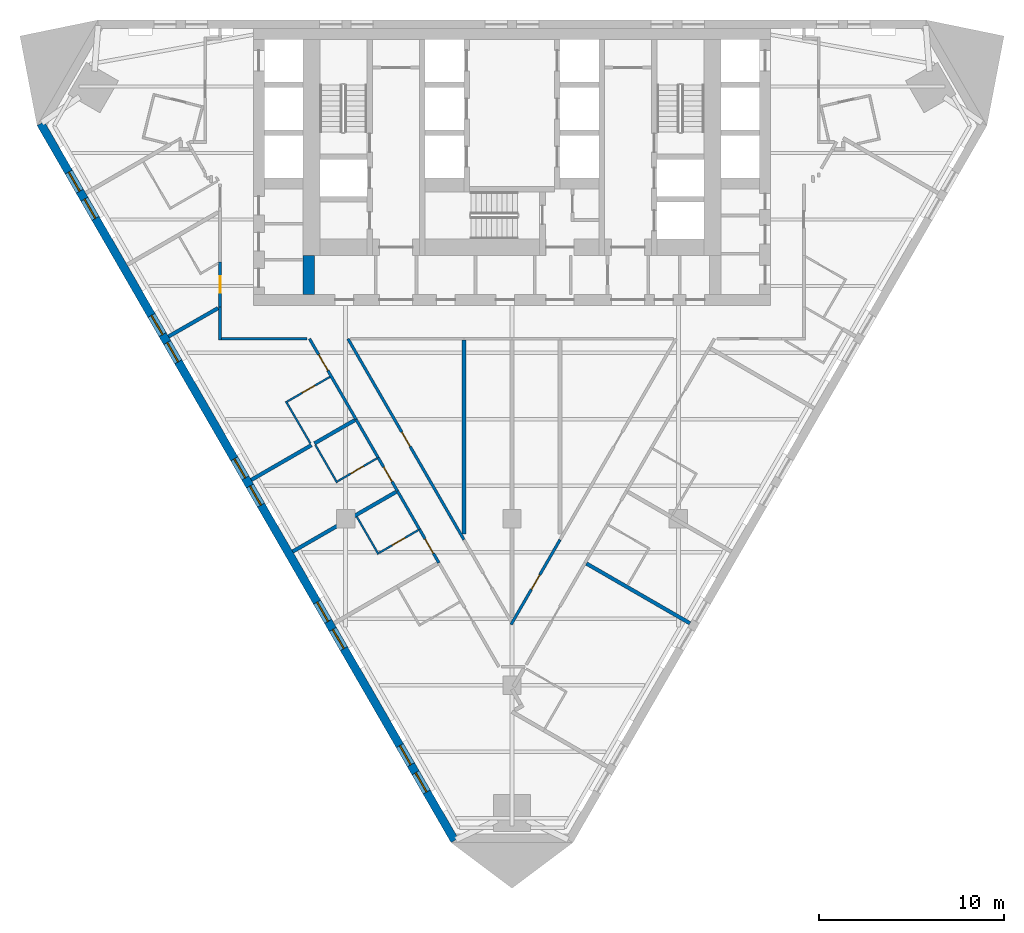
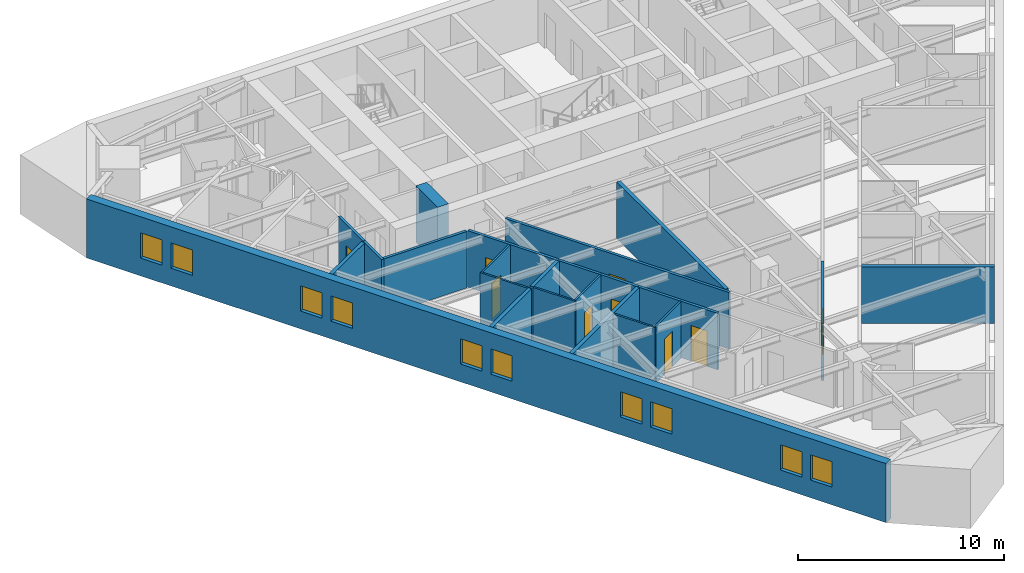
# One storey, part 3 of 10: 24 walls, 10 windows, 9 doors, 19 openings.
"""IFC4 building model written with IfcOpenShell, lengths in metres."""

from ifc_helpers import new_model, si_unit, direction, frame, frame_2d, origin, place, context, subcontext, project, spatial, polyline, rectangle, outline, extrude, material, layer, layer_set, type_object, element, fill, save


model = new_model("IFC4")

# Units and contexts
model_context = context("Model", 3, precision=1e-05, world=origin(), true_north=direction((0.0, 1.0)))
body_context = subcontext(model_context, "Body", "Model", "MODEL_VIEW")
ifc_project = project(units=[si_unit("LENGTHUNIT", "METRE"), si_unit("AREAUNIT", "SQUARE_METRE"), si_unit("VOLUMEUNIT", "CUBIC_METRE"), si_unit("PLANEANGLEUNIT", "RADIAN"), si_unit("MASSUNIT", "GRAM", prefix="KILO")], contexts=[model_context])

# Site, building, storey
site_placement = place(None, origin())
site = spatial("IfcSite", under=ifc_project, at=site_placement, CompositionType="ELEMENT")
building_placement = place(site_placement, origin())
building = spatial("IfcBuilding", under=site, at=building_placement, Name="Aloe Facet Convention Tower", CompositionType="ELEMENT")
storey_placement = place(building_placement, frame((0.0, 0.0, 59.5)))
storey = spatial("IfcBuildingStorey", under=building, at=storey_placement, Name="L13", CompositionType="ELEMENT", Elevation=59.5)

# Wall
ifc_material_1 = material(Name="Concrete C80/95", Category="concrete")
ifc_layer_1 = layer(ifc_material_1, 0.60009765625)
ifc_layer_set_1 = layer_set([ifc_layer_1], Name="CR-W-RC600-C8095")
wall_type_1 = type_object("IfcWallType", Name="CR-W-RC600-C8095", PredefinedType="SOLIDWALL", material=ifc_layer_set_1)
wall_1_placement = place(storey_placement, frame((69.0, 122.25, 0.0), z_axis=(0.0, 0.0, 1.0), x_axis=(0.0, -1.0, 0.0)))
element("IfcWall", 1, at=wall_1_placement, inside=storey, type_object=wall_type_1, Name="Core wall L13-010", PredefinedType="SOLIDWALL", context=body_context, shape_type="SweptSolid", body=[
    extrude(rectangle(XDim=2.10009765625, YDim=0.60009765625, at=frame_2d((1.050048828125, 0.0))), origin(), (0.0, 0.0, 1.0), 3.35009765625),
])

# Wall, openings, windows
ifc_material_2 = material(Name="Precast concrete C40/50", Category="concrete")
ifc_layer_2 = layer(ifc_material_2, 0.449951171875)
ifc_layer_set_2 = layer_set([ifc_layer_2], Name="EV-WALL-STONE")
wall_type_2 = type_object("IfcWallType", Name="EV-WALL-STONE", PredefinedType="SOLIDWALL", material=ifc_layer_set_2)
wall_2_placement = place(storey_placement, frame((54.494873046875, 129.396728515625, -0.14990234375), z_axis=(0.0, 0.0, 1.0), x_axis=(0.499999201451, -0.866025864826, 0.0)))
wall_2 = element("IfcWall", 2, at=wall_2_placement, inside=storey, type_object=wall_type_2, Name="EW-L13-W01", PredefinedType="SOLIDWALL", context=body_context, shape_type="SweptSolid", body=[
    extrude(outline(polyline([(44.800048828125, 0.0), (44.800048828125, 3.5), (0.0, 3.5), (0.0, 0.0), (44.800048828125, 0.0)])), frame((0.0, 0.22509765625, 0.0), z_axis=(0.0, -1.0, 0.0), x_axis=(1.0, 0.0, 0.0)), (0.0, 0.0, 1.0), 0.449951171875),
])
opening_1_placement = place(wall_2_placement, frame((3.030029296875, 0.0, 1.050048828125)))
opening_1 = element("IfcOpeningElement", 3, at=opening_1_placement, cuts=wall_2, Name="Opening W-L13-W01", PredefinedType="OPENING", context=body_context, shape_type="SweptSolid", body=[
    extrude(rectangle(XDim=1.199951171875, YDim=1.5, at=frame_2d((0.60009765625, 0.75))), frame((0.0, 0.23486328125, 0.0), z_axis=(0.0, -1.0, 0.0), x_axis=(1.0, 0.0, 0.0)), (0.0, 0.0, 1.0), 0.469970703125),
])
opening_2_placement = place(wall_2_placement, frame((4.72998046875, 0.0, 1.050048828125)))
opening_2 = element("IfcOpeningElement", 4, at=opening_2_placement, cuts=wall_2, Name="Opening W-L13-W02", PredefinedType="OPENING", context=body_context, shape_type="SweptSolid", body=[
    extrude(rectangle(XDim=1.199951171875, YDim=1.5, at=frame_2d((0.60009765625, 0.75))), frame((0.0, 0.23486328125, 0.0), z_axis=(0.0, -1.0, 0.0), x_axis=(1.0, 0.0, 0.0)), (0.0, 0.0, 1.0), 0.469970703125),
])
opening_3_placement = place(wall_2_placement, frame((11.989990234375, 0.0, 1.050048828125)))
opening_3 = element("IfcOpeningElement", 5, at=opening_3_placement, cuts=wall_2, Name="Opening W-L13-W03", PredefinedType="OPENING", context=body_context, shape_type="SweptSolid", body=[
    extrude(rectangle(XDim=1.199951171875, YDim=1.5, at=frame_2d((0.60009765625, 0.75))), frame((0.0, 0.23486328125, 0.0), z_axis=(0.0, -1.0, 0.0), x_axis=(1.0, 0.0, 0.0)), (0.0, 0.0, 1.0), 0.469970703125),
])
opening_4_placement = place(wall_2_placement, frame((13.68994140625, 0.0, 1.050048828125)))
opening_4 = element("IfcOpeningElement", 6, at=opening_4_placement, cuts=wall_2, Name="Opening W-L13-W04", PredefinedType="OPENING", context=body_context, shape_type="SweptSolid", body=[
    extrude(rectangle(XDim=1.199951171875, YDim=1.5, at=frame_2d((0.60009765625, 0.75))), frame((0.0, 0.23486328125, 0.0), z_axis=(0.0, -1.0, 0.0), x_axis=(1.0, 0.0, 0.0)), (0.0, 0.0, 1.0), 0.469970703125),
])
opening_5_placement = place(wall_2_placement, frame((20.949951171875, 0.0, 1.050048828125)))
opening_5 = element("IfcOpeningElement", 7, at=opening_5_placement, cuts=wall_2, Name="Opening W-L13-W05", PredefinedType="OPENING", context=body_context, shape_type="SweptSolid", body=[
    extrude(rectangle(XDim=1.199951171875, YDim=1.5, at=frame_2d((0.60009765625, 0.75))), frame((0.0, 0.23486328125, 0.0), z_axis=(0.0, -1.0, 0.0), x_axis=(1.0, 0.0, 0.0)), (0.0, 0.0, 1.0), 0.469970703125),
])
opening_6_placement = place(wall_2_placement, frame((22.64990234375, 0.0, 1.050048828125)))
opening_6 = element("IfcOpeningElement", 8, at=opening_6_placement, cuts=wall_2, Name="Opening W-L13-W06", PredefinedType="OPENING", context=body_context, shape_type="SweptSolid", body=[
    extrude(rectangle(XDim=1.199951171875, YDim=1.5, at=frame_2d((0.60009765625, 0.75))), frame((0.0, 0.23486328125, 0.0), z_axis=(0.0, -1.0, 0.0), x_axis=(1.0, 0.0, 0.0)), (0.0, 0.0, 1.0), 0.469970703125),
])
opening_7_placement = place(wall_2_placement, frame((29.909912109375, 0.0, 1.050048828125)))
opening_7 = element("IfcOpeningElement", 9, at=opening_7_placement, cuts=wall_2, Name="Opening W-L13-W07", PredefinedType="OPENING", context=body_context, shape_type="SweptSolid", body=[
    extrude(rectangle(XDim=1.199951171875, YDim=1.5, at=frame_2d((0.60009765625, 0.75))), frame((0.0, 0.23486328125, 0.0), z_axis=(0.0, -1.0, 0.0), x_axis=(1.0, 0.0, 0.0)), (0.0, 0.0, 1.0), 0.469970703125),
])
opening_8_placement = place(wall_2_placement, frame((31.610107421875, 0.0, 1.050048828125)))
opening_8 = element("IfcOpeningElement", 10, at=opening_8_placement, cuts=wall_2, Name="Opening W-L13-W08", PredefinedType="OPENING", context=body_context, shape_type="SweptSolid", body=[
    extrude(rectangle(XDim=1.199951171875, YDim=1.5, at=frame_2d((0.60009765625, 0.75))), frame((0.0, 0.23486328125, 0.0), z_axis=(0.0, -1.0, 0.0), x_axis=(1.0, 0.0, 0.0)), (0.0, 0.0, 1.0), 0.469970703125),
])
opening_9_placement = place(wall_2_placement, frame((38.8701171875, 0.0, 1.050048828125)))
opening_9 = element("IfcOpeningElement", 11, at=opening_9_placement, cuts=wall_2, Name="Opening W-L13-W09", PredefinedType="OPENING", context=body_context, shape_type="SweptSolid", body=[
    extrude(rectangle(XDim=1.199951171875, YDim=1.5, at=frame_2d((0.60009765625, 0.75))), frame((0.0, 0.23486328125, 0.0), z_axis=(0.0, -1.0, 0.0), x_axis=(1.0, 0.0, 0.0)), (0.0, 0.0, 1.0), 0.469970703125),
])
opening_10_placement = place(wall_2_placement, frame((40.570068359375, 0.0, 1.050048828125)))
opening_10 = element("IfcOpeningElement", 12, at=opening_10_placement, cuts=wall_2, Name="Opening W-L13-W10", PredefinedType="OPENING", context=body_context, shape_type="SweptSolid", body=[
    extrude(rectangle(XDim=1.199951171875, YDim=1.5, at=frame_2d((0.60009765625, 0.75))), frame((0.0, 0.23486328125, 0.0), z_axis=(0.0, -1.0, 0.0), x_axis=(1.0, 0.0, 0.0)), (0.0, 0.0, 1.0), 0.469970703125),
])
ifc_material_3 = material(Name="Aluminium frame, clear double glazing", Category="aluminium")
window_type = type_object("IfcWindowType", Name="EV-WIN-H12", PartitioningType="SINGLE_PANEL", PredefinedType="WINDOW", material=ifc_material_3)
window_1_placement = place(opening_1_placement, origin())
window_1 = element("IfcWindow", 13, at=window_1_placement, inside=storey, type_object=window_type, Name="W-L13-W01", OverallHeight=1.5, OverallWidth=1.199951171875, PartitioningType="SINGLE_PANEL", PredefinedType="WINDOW", context=body_context, shape_type="SweptSolid", body=[
    extrude(rectangle(XDim=1.199951171875, YDim=1.5, at=frame_2d((0.60009765625, 0.75))), frame((0.0, 0.030029296875, 0.0), z_axis=(0.0, -1.0, 0.0), x_axis=(1.0, 0.0, 0.0)), (0.0, 0.0, 1.0), 0.06005859375),
])
fill(opening_1, window_1)
window_2_placement = place(opening_2_placement, origin())
window_2 = element("IfcWindow", 14, at=window_2_placement, inside=storey, type_object=window_type, Name="W-L13-W02", OverallHeight=1.5, OverallWidth=1.199951171875, PartitioningType="SINGLE_PANEL", PredefinedType="WINDOW", context=body_context, shape_type="SweptSolid", body=[
    extrude(rectangle(XDim=1.199951171875, YDim=1.5, at=frame_2d((0.60009765625, 0.75))), frame((0.0, 0.030029296875, 0.0), z_axis=(0.0, -1.0, 0.0), x_axis=(1.0, 0.0, 0.0)), (0.0, 0.0, 1.0), 0.06005859375),
])
fill(opening_2, window_2)
window_3_placement = place(opening_3_placement, origin())
window_3 = element("IfcWindow", 15, at=window_3_placement, inside=storey, type_object=window_type, Name="W-L13-W03", OverallHeight=1.5, OverallWidth=1.199951171875, PartitioningType="SINGLE_PANEL", PredefinedType="WINDOW", context=body_context, shape_type="SweptSolid", body=[
    extrude(rectangle(XDim=1.199951171875, YDim=1.5, at=frame_2d((0.60009765625, 0.75))), frame((0.0, 0.030029296875, 0.0), z_axis=(0.0, -1.0, 0.0), x_axis=(1.0, 0.0, 0.0)), (0.0, 0.0, 1.0), 0.06005859375),
])
fill(opening_3, window_3)
window_4_placement = place(opening_4_placement, origin())
window_4 = element("IfcWindow", 16, at=window_4_placement, inside=storey, type_object=window_type, Name="W-L13-W04", OverallHeight=1.5, OverallWidth=1.199951171875, PartitioningType="SINGLE_PANEL", PredefinedType="WINDOW", context=body_context, shape_type="SweptSolid", body=[
    extrude(rectangle(XDim=1.199951171875, YDim=1.5, at=frame_2d((0.60009765625, 0.75))), frame((0.0, 0.030029296875, 0.0), z_axis=(0.0, -1.0, 0.0), x_axis=(1.0, 0.0, 0.0)), (0.0, 0.0, 1.0), 0.06005859375),
])
fill(opening_4, window_4)
window_5_placement = place(opening_5_placement, origin())
window_5 = element("IfcWindow", 17, at=window_5_placement, inside=storey, type_object=window_type, Name="W-L13-W05", OverallHeight=1.5, OverallWidth=1.199951171875, PartitioningType="SINGLE_PANEL", PredefinedType="WINDOW", context=body_context, shape_type="SweptSolid", body=[
    extrude(rectangle(XDim=1.199951171875, YDim=1.5, at=frame_2d((0.60009765625, 0.75))), frame((0.0, 0.030029296875, 0.0), z_axis=(0.0, -1.0, 0.0), x_axis=(1.0, 0.0, 0.0)), (0.0, 0.0, 1.0), 0.06005859375),
])
fill(opening_5, window_5)
window_6_placement = place(opening_6_placement, origin())
window_6 = element("IfcWindow", 18, at=window_6_placement, inside=storey, type_object=window_type, Name="W-L13-W06", OverallHeight=1.5, OverallWidth=1.199951171875, PartitioningType="SINGLE_PANEL", PredefinedType="WINDOW", context=body_context, shape_type="SweptSolid", body=[
    extrude(rectangle(XDim=1.199951171875, YDim=1.5, at=frame_2d((0.60009765625, 0.75))), frame((0.0, 0.030029296875, 0.0), z_axis=(0.0, -1.0, 0.0), x_axis=(1.0, 0.0, 0.0)), (0.0, 0.0, 1.0), 0.06005859375),
])
fill(opening_6, window_6)
window_7_placement = place(opening_7_placement, origin())
window_7 = element("IfcWindow", 19, at=window_7_placement, inside=storey, type_object=window_type, Name="W-L13-W07", OverallHeight=1.5, OverallWidth=1.199951171875, PartitioningType="SINGLE_PANEL", PredefinedType="WINDOW", context=body_context, shape_type="SweptSolid", body=[
    extrude(rectangle(XDim=1.199951171875, YDim=1.5, at=frame_2d((0.60009765625, 0.75))), frame((0.0, 0.030029296875, 0.0), z_axis=(0.0, -1.0, 0.0), x_axis=(1.0, 0.0, 0.0)), (0.0, 0.0, 1.0), 0.06005859375),
])
fill(opening_7, window_7)
window_8_placement = place(opening_8_placement, origin())
window_8 = element("IfcWindow", 20, at=window_8_placement, inside=storey, type_object=window_type, Name="W-L13-W08", OverallHeight=1.5, OverallWidth=1.199951171875, PartitioningType="SINGLE_PANEL", PredefinedType="WINDOW", context=body_context, shape_type="SweptSolid", body=[
    extrude(rectangle(XDim=1.199951171875, YDim=1.5, at=frame_2d((0.60009765625, 0.75))), frame((0.0, 0.030029296875, 0.0), z_axis=(0.0, -1.0, 0.0), x_axis=(1.0, 0.0, 0.0)), (0.0, 0.0, 1.0), 0.06005859375),
])
fill(opening_8, window_8)
window_9_placement = place(opening_9_placement, origin())
window_9 = element("IfcWindow", 21, at=window_9_placement, inside=storey, type_object=window_type, Name="W-L13-W09", OverallHeight=1.5, OverallWidth=1.199951171875, PartitioningType="SINGLE_PANEL", PredefinedType="WINDOW", context=body_context, shape_type="SweptSolid", body=[
    extrude(rectangle(XDim=1.199951171875, YDim=1.5, at=frame_2d((0.60009765625, 0.75))), frame((0.0, 0.030029296875, 0.0), z_axis=(0.0, -1.0, 0.0), x_axis=(1.0, 0.0, 0.0)), (0.0, 0.0, 1.0), 0.06005859375),
])
fill(opening_9, window_9)
window_10_placement = place(opening_10_placement, origin())
window_10 = element("IfcWindow", 22, at=window_10_placement, inside=storey, type_object=window_type, Name="W-L13-W10", OverallHeight=1.5, OverallWidth=1.199951171875, PartitioningType="SINGLE_PANEL", PredefinedType="WINDOW", context=body_context, shape_type="SweptSolid", body=[
    extrude(rectangle(XDim=1.199951171875, YDim=1.5, at=frame_2d((0.60009765625, 0.75))), frame((0.0, 0.030029296875, 0.0), z_axis=(0.0, -1.0, 0.0), x_axis=(1.0, 0.0, 0.0)), (0.0, 0.0, 1.0), 0.06005859375),
])
fill(opening_10, window_10)

# Wall, opening, door
ifc_material_4 = material(Name="Gypsum board partition on steel studs", Category="steel")
ifc_layer_3 = layer(ifc_material_4, 0.14990234375)
ifc_layer_set_3 = layer_set([ifc_layer_3], Name="IN-W-CORR")
wall_type_3 = type_object("IfcWallType", Name="IN-W-CORR", PredefinedType="PARTITIONING", material=ifc_layer_set_3)
wall_3_placement = place(storey_placement, frame((79.949951171875, 102.283935546875, 0.0), z_axis=(0.0, 0.0, 1.0), x_axis=(0.500026712466, 0.866009980786, 0.0)))
wall_3 = element("IfcWall", 23, at=wall_3_placement, inside=storey, type_object=wall_type_3, Name="Partition L13-W014", PredefinedType="PARTITIONING", context=body_context, shape_type="SweptSolid", body=[
    extrude(rectangle(XDim=5.302001953125, YDim=0.14990234375, at=frame_2d((2.65087890625, 0.0))), origin(), (0.0, 0.0, 1.0), 3.35009765625),
])
opening_11_placement = place(wall_3_placement, frame((2.200927734375, 0.0, 0.0)))
opening_11 = element("IfcOpeningElement", 24, at=opening_11_placement, cuts=wall_3, Name="Opening L13-016", PredefinedType="OPENING", context=body_context, shape_type="SweptSolid", body=[
    extrude(rectangle(XDim=0.89990234375, YDim=2.10009765625, at=frame_2d((0.449951171875, 1.050048828125))), frame((0.0, 0.0849609375, 0.0), z_axis=(0.0, -1.0, 0.0), x_axis=(1.0, 0.0, 0.0)), (0.0, 0.0, 1.0), 0.169921875),
])
ifc_material_5 = material(Name="Hardwood flush door FD30S", Category="wood")
door_type_1 = type_object("IfcDoorType", Name="IN-D-GUEST", OperationType="SINGLE_SWING_LEFT", PredefinedType="DOOR", material=ifc_material_5)
door_1_placement = place(opening_11_placement, origin())
door_1 = element("IfcDoor", 25, at=door_1_placement, inside=storey, type_object=door_type_1, Name="Door L13-016", OperationType="SINGLE_SWING_LEFT", OverallHeight=2.10009765625, OverallWidth=0.89990234375, PredefinedType="DOOR", context=body_context, shape_type="SweptSolid", body=[
    extrude(rectangle(XDim=0.89990234375, YDim=2.10009765625, at=frame_2d((0.449951171875, 1.050048828125))), frame((0.0, 0.02490234375, 0.0), z_axis=(0.0, -1.0, 0.0), x_axis=(1.0, 0.0, 0.0)), (0.0, 0.0, 1.0), 0.050048828125),
])
fill(opening_11, door_1)

wall_4_placement = place(storey_placement, frame((74.9970703125, 107.435546875, 0.0), z_axis=(0.0, 0.0, 1.0), x_axis=(0.500096586542, -0.865969632337, 0.0)))
wall_4 = element("IfcWall", 26, at=wall_4_placement, inside=storey, type_object=wall_type_3, Name="Partition L13-W022", PredefinedType="PARTITIONING", context=body_context, shape_type="SweptSolid", body=[
    extrude(rectangle(XDim=2.08984375, YDim=0.14990234375, at=frame_2d((1.044921875, 0.0))), origin(), (0.0, 0.0, 1.0), 3.35009765625),
])
opening_12_placement = place(wall_4_placement, frame((0.594970703125, 0.0, 0.0)))
opening_12 = element("IfcOpeningElement", 27, at=opening_12_placement, cuts=wall_4, Name="Opening L13-007", PredefinedType="OPENING", context=body_context, shape_type="SweptSolid", body=[
    extrude(rectangle(XDim=0.89990234375, YDim=2.10009765625, at=frame_2d((0.449951171875, 1.050048828125))), frame((0.0, 0.0849609375, 0.0), z_axis=(0.0, -1.0, 0.0), x_axis=(1.0, 0.0, 0.0)), (0.0, 0.0, 1.0), 0.169921875),
])
door_2_placement = place(opening_12_placement, origin())
door_2 = element("IfcDoor", 28, at=door_2_placement, inside=storey, type_object=door_type_1, Name="Door L13-007", OperationType="SINGLE_SWING_LEFT", OverallHeight=2.10009765625, OverallWidth=0.89990234375, PredefinedType="DOOR", context=body_context, shape_type="SweptSolid", body=[
    extrude(rectangle(XDim=0.89990234375, YDim=2.10009765625, at=frame_2d((0.449951171875, 1.050048828125))), frame((0.0, 0.02490234375, 0.0), z_axis=(0.0, -1.0, 0.0), x_axis=(1.0, 0.0, 0.0)), (0.0, 0.0, 1.0), 0.050048828125),
])
fill(opening_12, door_2)

# Wall
wall_5_placement = place(storey_placement, frame((73.80224609375, 109.50537109375, 0.0), z_axis=(0.0, 0.0, 1.0), x_axis=(0.499940577336, -0.866059708757, 0.0)))
element("IfcWall", 29, at=wall_5_placement, inside=storey, type_object=wall_type_3, Name="Partition L13-W039", PredefinedType="PARTITIONING", context=body_context, shape_type="SweptSolid", body=[
    extrude(rectangle(XDim=2.389892578125, YDim=0.14990234375, at=frame_2d((1.19482421875, 0.0))), origin(), (0.0, 0.0, 1.0), 3.35009765625),
])

# Wall, opening, door
wall_6_placement = place(storey_placement, frame((72.757080078125, 111.3154296875, 0.0), z_axis=(0.0, 0.0, 1.0), x_axis=(0.500046000743, -0.865998843614, 0.0)))
wall_6 = element("IfcWall", 30, at=wall_6_placement, inside=storey, type_object=wall_type_3, Name="Partition L13-W041", PredefinedType="PARTITIONING", context=body_context, shape_type="SweptSolid", body=[
    extrude(rectangle(XDim=2.090087890625, YDim=0.14990234375, at=frame_2d((1.044921875, 0.0))), origin(), (0.0, 0.0, 1.0), 3.35009765625),
])
opening_13_placement = place(wall_6_placement, frame((0.594970703125, 0.0, 0.0)))
opening_13 = element("IfcOpeningElement", 31, at=opening_13_placement, cuts=wall_6, Name="Opening L13-006", PredefinedType="OPENING", context=body_context, shape_type="SweptSolid", body=[
    extrude(rectangle(XDim=0.89990234375, YDim=2.10009765625, at=frame_2d((0.449951171875, 1.050048828125))), frame((0.0, 0.0849609375, 0.0), z_axis=(0.0, -1.0, 0.0), x_axis=(1.0, 0.0, 0.0)), (0.0, 0.0, 1.0), 0.169921875),
])
door_3_placement = place(opening_13_placement, origin())
door_3 = element("IfcDoor", 32, at=door_3_placement, inside=storey, type_object=door_type_1, Name="Door L13-006", OperationType="SINGLE_SWING_LEFT", OverallHeight=2.10009765625, OverallWidth=0.89990234375, PredefinedType="DOOR", context=body_context, shape_type="SweptSolid", body=[
    extrude(rectangle(XDim=0.89990234375, YDim=2.10009765625, at=frame_2d((0.449951171875, 1.050048828125))), frame((0.0, 0.02490234375, 0.0), z_axis=(0.0, -1.0, 0.0), x_axis=(1.0, 0.0, 0.0)), (0.0, 0.0, 1.0), 0.050048828125),
])
fill(opening_13, door_3)

# Wall
wall_7_placement = place(storey_placement, frame((71.562255859375, 113.38525390625, 0.0), z_axis=(0.0, 0.0, 1.0), x_axis=(0.499940577336, -0.866059708757, 0.0)))
element("IfcWall", 33, at=wall_7_placement, inside=storey, type_object=wall_type_3, Name="Partition L13-W052", PredefinedType="PARTITIONING", context=body_context, shape_type="SweptSolid", body=[
    extrude(rectangle(XDim=2.389892578125, YDim=0.14990234375, at=frame_2d((1.19482421875, 0.0))), origin(), (0.0, 0.0, 1.0), 3.35009765625),
])

# Wall, opening, door
wall_8_placement = place(storey_placement, frame((69.042236328125, 117.75, 0.0), z_axis=(0.0, 0.0, 1.0), x_axis=(0.500004791531, -0.866022637375, 0.0)))
wall_8 = element("IfcWall", 34, at=wall_8_placement, inside=storey, type_object=wall_type_3, Name="Partition L13-W053", PredefinedType="PARTITIONING", context=body_context, shape_type="SweptSolid", body=[
    extrude(rectangle(XDim=5.0400390625, YDim=0.14990234375, at=frame_2d((2.52001953125, 0.0))), origin(), (0.0, 0.0, 1.0), 3.35009765625),
])
opening_14_placement = place(wall_8_placement, frame((0.988037109375, 0.0, 0.0)))
opening_14 = element("IfcOpeningElement", 35, at=opening_14_placement, cuts=wall_8, Name="Opening L13-005", PredefinedType="OPENING", context=body_context, shape_type="SweptSolid", body=[
    extrude(rectangle(XDim=1.0, YDim=2.10009765625, at=frame_2d((0.5, 1.050048828125))), frame((0.0, 0.0849609375, 0.0), z_axis=(0.0, -1.0, 0.0), x_axis=(1.0, 0.0, 0.0)), (0.0, 0.0, 1.0), 0.169921875),
])
ifc_material_6 = material(Name="Hardwood flush door FD30S", Category="wood")
door_type_2 = type_object("IfcDoorType", Name="IN-D-WIDE", OperationType="SINGLE_SWING_LEFT", PredefinedType="DOOR", material=ifc_material_6)
door_4_placement = place(opening_14_placement, origin())
door_4 = element("IfcDoor", 36, at=door_4_placement, inside=storey, type_object=door_type_2, Name="Door L13-005", OperationType="SINGLE_SWING_LEFT", OverallHeight=2.10009765625, OverallWidth=1.0, PredefinedType="DOOR", context=body_context, shape_type="SweptSolid", body=[
    extrude(rectangle(XDim=1.0, YDim=2.10009765625, at=frame_2d((0.5, 1.050048828125))), frame((0.0, 0.02490234375, 0.0), z_axis=(0.0, -1.0, 0.0), x_axis=(1.0, 0.0, 0.0)), (0.0, 0.0, 1.0), 0.050048828125),
])
fill(opening_14, door_4)

# Walls
wall_9_placement = place(storey_placement, frame((64.199951171875, 117.675048828125, 0.0), z_axis=(0.0, 0.0, 1.0), x_axis=(0.0, 1.0, 0.0)))
element("IfcWall", 37, at=wall_9_placement, inside=storey, type_object=wall_type_3, Name="Partition L13-W060", PredefinedType="PARTITIONING", context=body_context, shape_type="SweptSolid", body=[
    extrude(rectangle(XDim=1.794189453125, YDim=0.14990234375, at=frame_2d((0.89697265625, 0.0))), origin(), (0.0, 0.0, 1.0), 3.35009765625),
])
wall_10_placement = place(storey_placement, frame((64.27490234375, 117.75, 0.0), z_axis=(0.0, 0.0, 1.0), x_axis=(1.0, 0.0, 0.0)))
element("IfcWall", 38, at=wall_10_placement, inside=storey, type_object=wall_type_3, Name="Partition L13-W061", PredefinedType="PARTITIONING", context=body_context, shape_type="SweptSolid", body=[
    extrude(rectangle(XDim=4.637451171875, YDim=0.14990234375, at=frame_2d((2.31884765625, 0.0))), origin(), (0.0, 0.0, 1.0), 3.35009765625),
])

# Wall, opening, door
wall_11_placement = place(storey_placement, frame((71.12060546875, 117.75, 0.0), z_axis=(0.0, 0.0, 1.0), x_axis=(0.499995104884, -0.866028229963, 0.0)))
wall_11 = element("IfcWall", 39, at=wall_11_placement, inside=storey, type_object=wall_type_3, Name="Partition L13-W062", PredefinedType="PARTITIONING", context=body_context, shape_type="SweptSolid", body=[
    extrude(rectangle(XDim=12.556884765625, YDim=0.14990234375, at=frame_2d((6.2783203125, 0.0))), origin(), (0.0, 0.0, 1.0), 3.35009765625),
])
opening_15_placement = place(wall_11_placement, frame((5.828369140625, 0.0, 0.0)))
opening_15 = element("IfcOpeningElement", 40, at=opening_15_placement, cuts=wall_11, Name="Opening L13-014", PredefinedType="OPENING", context=body_context, shape_type="SweptSolid", body=[
    extrude(rectangle(XDim=0.89990234375, YDim=2.10009765625, at=frame_2d((0.449951171875, 1.050048828125))), frame((0.0, 0.0849609375, 0.0), z_axis=(0.0, -1.0, 0.0), x_axis=(1.0, 0.0, 0.0)), (0.0, 0.0, 1.0), 0.169921875),
])
door_5_placement = place(opening_15_placement, origin())
door_5 = element("IfcDoor", 41, at=door_5_placement, inside=storey, type_object=door_type_1, Name="Door L13-014", OperationType="SINGLE_SWING_LEFT", OverallHeight=2.10009765625, OverallWidth=0.89990234375, PredefinedType="DOOR", context=body_context, shape_type="SweptSolid", body=[
    extrude(rectangle(XDim=0.89990234375, YDim=2.10009765625, at=frame_2d((0.449951171875, 1.050048828125))), frame((0.0, 0.02490234375, 0.0), z_axis=(0.0, -1.0, 0.0), x_axis=(1.0, 0.0, 0.0)), (0.0, 0.0, 1.0), 0.050048828125),
])
fill(opening_15, door_5)

wall_12_placement = place(storey_placement, frame((64.199951171875, 119.46923828125, 0.0), z_axis=(0.0, 0.0, 1.0), x_axis=(0.0, 1.0, 0.0)))
wall_12 = element("IfcWall", 42, at=wall_12_placement, inside=storey, type_object=wall_type_3, Name="Partition L13-W076", PredefinedType="PARTITIONING", context=body_context, shape_type="SweptSolid", body=[
    extrude(rectangle(XDim=2.4248046875, YDim=0.14990234375, at=frame_2d((1.21240234375, 0.0))), origin(), (0.0, 0.0, 1.0), 3.35009765625),
])
opening_16_placement = place(wall_12_placement, frame((0.762451171875, 0.0, 0.0)))
opening_16 = element("IfcOpeningElement", 43, at=opening_16_placement, cuts=wall_12, Name="Opening L13-004", PredefinedType="OPENING", context=body_context, shape_type="SweptSolid", body=[
    extrude(rectangle(XDim=0.89990234375, YDim=2.10009765625, at=frame_2d((0.449951171875, 1.050048828125))), frame((0.0, 0.0849609375, 0.0), z_axis=(0.0, -1.0, 0.0), x_axis=(1.0, 0.0, 0.0)), (0.0, 0.0, 1.0), 0.169921875),
])
door_6_placement = place(opening_16_placement, origin())
door_6 = element("IfcDoor", 44, at=door_6_placement, inside=storey, type_object=door_type_1, Name="Door L13-004", OperationType="SINGLE_SWING_LEFT", OverallHeight=2.10009765625, OverallWidth=0.89990234375, PredefinedType="DOOR", context=body_context, shape_type="SweptSolid", body=[
    extrude(rectangle(XDim=0.89990234375, YDim=2.10009765625, at=frame_2d((0.449951171875, 1.050048828125))), frame((0.0, 0.02490234375, 0.0), z_axis=(0.0, -1.0, 0.0), x_axis=(1.0, 0.0, 0.0)), (0.0, 0.0, 1.0), 0.050048828125),
])
fill(opening_16, door_6)

# Wall
ifc_material_7 = material(Name="Gypsum board partition on steel studs", Category="steel")
ifc_layer_4 = layer(ifc_material_7, 0.10009765625)
ifc_layer_set_4 = layer_set([ifc_layer_4], Name="IN-W-PART")
wall_type_4 = type_object("IfcWallType", Name="IN-W-PART", PredefinedType="PARTITIONING", material=ifc_layer_set_4)
wall_13_placement = place(storey_placement, frame((71.6005859375, 108.118896484375, 0.0), z_axis=(0.0, 0.0, 1.0), x_axis=(0.499938297808, -0.866061024631, 0.0)))
element("IfcWall", 45, at=wall_13_placement, inside=storey, type_object=wall_type_4, Name="Partition L13-W026", PredefinedType="PARTITIONING", context=body_context, shape_type="SweptSolid", body=[
    extrude(rectangle(XDim=2.349853515625, YDim=0.10009765625, at=frame_2d((1.1748046875, 0.0))), origin(), (0.0, 0.0, 1.0), 3.35009765625),
])

# Wall, opening, door
wall_14_placement = place(storey_placement, frame((72.80224609375, 106.1572265625, 0.0), z_axis=(0.0, 0.0, 1.0), x_axis=(0.864132137734, 0.503264988386, 0.0)))
wall_14 = element("IfcWall", 46, at=wall_14_placement, inside=storey, type_object=wall_type_4, Name="Partition L13-W034", PredefinedType="PARTITIONING", context=body_context, shape_type="SweptSolid", body=[
    extrude(rectangle(XDim=2.455078125, YDim=0.10009765625, at=frame_2d((1.2275390625, 0.0))), origin(), (0.0, 0.0, 1.0), 3.35009765625),
])
opening_17_placement = place(wall_14_placement, frame((0.827392578125, 0.0, 0.0)))
opening_17 = element("IfcOpeningElement", 47, at=opening_17_placement, cuts=wall_14, Name="Opening L13-024", PredefinedType="OPENING", context=body_context, shape_type="SweptSolid", body=[
    extrude(rectangle(XDim=0.800048828125, YDim=2.10009765625, at=frame_2d((0.39990234375, 1.050048828125))), frame((0.0, 0.06005859375, 0.0), z_axis=(0.0, -1.0, 0.0), x_axis=(1.0, 0.0, 0.0)), (0.0, 0.0, 1.0), 0.1201171875),
])
ifc_material_8 = material(Name="Timber flush door", Category="wood")
door_type_3 = type_object("IfcDoorType", Name="IN-D-BATH", OperationType="SINGLE_SWING_LEFT", PredefinedType="DOOR", material=ifc_material_8)
door_7_placement = place(opening_17_placement, origin())
door_7 = element("IfcDoor", 48, at=door_7_placement, inside=storey, type_object=door_type_3, Name="Door L13-024", OperationType="SINGLE_SWING_LEFT", OverallHeight=2.10009765625, OverallWidth=0.800048828125, PredefinedType="DOOR", context=body_context, shape_type="SweptSolid", body=[
    extrude(rectangle(XDim=0.800048828125, YDim=2.10009765625, at=frame_2d((0.39990234375, 1.050048828125))), frame((0.0, 0.02490234375, 0.0), z_axis=(0.0, -1.0, 0.0), x_axis=(1.0, 0.0, 0.0)), (0.0, 0.0, 1.0), 0.050048828125),
])
fill(opening_17, door_7)

# Wall
wall_15_placement = place(storey_placement, frame((69.365478515625, 111.989990234375, 0.0), z_axis=(0.0, 0.0, 1.0), x_axis=(0.499999433879, -0.866025730634, 0.0)))
element("IfcWall", 49, at=wall_15_placement, inside=storey, type_object=wall_type_4, Name="Partition L13-W044", PredefinedType="PARTITIONING", context=body_context, shape_type="SweptSolid", body=[
    extrude(rectangle(XDim=2.33984375, YDim=0.10009765625, at=frame_2d((1.169921875, 0.0))), origin(), (0.0, 0.0, 1.0), 3.35009765625),
])

# Wall, opening, door
wall_16_placement = place(storey_placement, frame((70.562255859375, 110.037109375, 0.0), z_axis=(0.0, 0.0, 1.0), x_axis=(0.864132137734, 0.503264988386, 0.0)))
wall_16 = element("IfcWall", 50, at=wall_16_placement, inside=storey, type_object=wall_type_4, Name="Partition L13-W047", PredefinedType="PARTITIONING", context=body_context, shape_type="SweptSolid", body=[
    extrude(rectangle(XDim=2.455078125, YDim=0.10009765625, at=frame_2d((1.2275390625, 0.0))), origin(), (0.0, 0.0, 1.0), 3.35009765625),
])
opening_18_placement = place(wall_16_placement, frame((0.827392578125, 0.0, 0.0)))
opening_18 = element("IfcOpeningElement", 51, at=opening_18_placement, cuts=wall_16, Name="Opening L13-023", PredefinedType="OPENING", context=body_context, shape_type="SweptSolid", body=[
    extrude(rectangle(XDim=0.800048828125, YDim=2.10009765625, at=frame_2d((0.39990234375, 1.050048828125))), frame((0.0, 0.06005859375, 0.0), z_axis=(0.0, -1.0, 0.0), x_axis=(1.0, 0.0, 0.0)), (0.0, 0.0, 1.0), 0.1201171875),
])
door_8_placement = place(opening_18_placement, origin())
door_8 = element("IfcDoor", 52, at=door_8_placement, inside=storey, type_object=door_type_3, Name="Door L13-023", OperationType="SINGLE_SWING_LEFT", OverallHeight=2.10009765625, OverallWidth=0.800048828125, PredefinedType="DOOR", context=body_context, shape_type="SweptSolid", body=[
    extrude(rectangle(XDim=0.800048828125, YDim=2.10009765625, at=frame_2d((0.39990234375, 1.050048828125))), frame((0.0, 0.02490234375, 0.0), z_axis=(0.0, -1.0, 0.0), x_axis=(1.0, 0.0, 0.0)), (0.0, 0.0, 1.0), 0.050048828125),
])
fill(opening_18, door_8)

# Wall
wall_17_placement = place(storey_placement, frame((67.76220703125, 114.36669921875, 0.0), z_axis=(0.0, 0.0, 1.0), x_axis=(0.503163628445, -0.86419116115, 0.0)))
element("IfcWall", 53, at=wall_17_placement, inside=storey, type_object=wall_type_4, Name="Partition L13-W049", PredefinedType="PARTITIONING", context=body_context, shape_type="SweptSolid", body=[
    extrude(rectangle(XDim=2.64013671875, YDim=0.10009765625, at=frame_2d((1.320068359375, 0.0))), origin(), (0.0, 0.0, 1.0), 3.35009765625),
])

# Wall, opening, door
wall_18_placement = place(storey_placement, frame((67.83935546875, 114.353515625, 0.0), z_axis=(0.0, 0.0, 1.0), x_axis=(0.86601318911, 0.500021155841, 0.0)))
wall_18 = element("IfcWall", 54, at=wall_18_placement, inside=storey, type_object=wall_type_4, Name="Partition L13-W055", PredefinedType="PARTITIONING", context=body_context, shape_type="SweptSolid", body=[
    extrude(rectangle(XDim=2.6650390625, YDim=0.10009765625, at=frame_2d((1.33251953125, 0.0))), origin(), (0.0, 0.0, 1.0), 3.35009765625),
])
opening_19_placement = place(wall_18_placement, frame((0.9326171875, 0.0, 0.0)))
opening_19 = element("IfcOpeningElement", 55, at=opening_19_placement, cuts=wall_18, Name="Opening L13-022", PredefinedType="OPENING", context=body_context, shape_type="SweptSolid", body=[
    extrude(rectangle(XDim=0.800048828125, YDim=2.10009765625, at=frame_2d((0.39990234375, 1.050048828125))), frame((0.0, 0.06005859375, 0.0), z_axis=(0.0, -1.0, 0.0), x_axis=(1.0, 0.0, 0.0)), (0.0, 0.0, 1.0), 0.1201171875),
])
door_9_placement = place(opening_19_placement, origin())
door_9 = element("IfcDoor", 56, at=door_9_placement, inside=storey, type_object=door_type_3, Name="Door L13-022", OperationType="SINGLE_SWING_LEFT", OverallHeight=2.10009765625, OverallWidth=0.800048828125, PredefinedType="DOOR", context=body_context, shape_type="SweptSolid", body=[
    extrude(rectangle(XDim=0.800048828125, YDim=2.10009765625, at=frame_2d((0.39990234375, 1.050048828125))), frame((0.0, 0.02490234375, 0.0), z_axis=(0.0, -1.0, 0.0), x_axis=(1.0, 0.0, 0.0)), (0.0, 0.0, 1.0), 0.050048828125),
])
fill(opening_19, door_9)

# Walls
ifc_material_9 = material(Name="Gypsum board partition on steel studs", Category="steel")
ifc_layer_5 = layer(ifc_material_9, 0.199951171875)
ifc_layer_set_5 = layer_set([ifc_layer_5], Name="IN-W-PARTY")
wall_type_5 = type_object("IfcWallType", Name="IN-W-PARTY", PredefinedType="PARTITIONING", material=ifc_layer_set_5)
for number, where, z_axis, x_axis, name in (
    (57, (84.031494140625, 105.583251953125, 0.0), (0.0, 0.0, 1.0), (0.866015162859, -0.500017737384, 0.0), "Partition L13-W013"),
    (58, (68.129638671875, 106.23046875, 0.0), (0.0, 0.0, 1.0), (0.86603151488, 0.499989415123, 0.0), "Partition L13-W027"),
):
    element("IfcWall", number, at=place(storey_placement, frame(where, z_axis=z_axis, x_axis=x_axis)), inside=storey, type_object=wall_type_5, Name=name, PredefinedType="PARTITIONING", context=body_context, shape_type="SweptSolid", body=[
        extrude(rectangle(XDim=6.465087890625, YDim=0.199951171875, at=frame_2d((3.232421875, 0.0))), origin(), (0.0, 0.0, 1.0), 3.35009765625),
    ])
wall_19_placement = place(storey_placement, frame((77.39892578125, 107.170654296875, 0.0), z_axis=(0.0, 0.0, 1.0), x_axis=(0.0, 1.0, 0.0)))
element("IfcWall", 59, at=wall_19_placement, inside=storey, type_object=wall_type_5, Name="Partition L13-W031", PredefinedType="PARTITIONING", context=body_context, shape_type="SweptSolid", body=[
    extrude(rectangle(XDim=10.50439453125, YDim=0.199951171875, at=frame_2d((5.252197265625, 0.0))), origin(), (0.0, 0.0, 1.0), 3.35009765625),
])
wall_20_placement = place(storey_placement, frame((65.8896484375, 110.1103515625, 0.0), z_axis=(0.0, 0.0, 1.0), x_axis=(0.866045024864, 0.499966013754, 0.0)))
element("IfcWall", 60, at=wall_20_placement, inside=storey, type_object=wall_type_5, Name="Partition L13-W045", PredefinedType="PARTITIONING", context=body_context, shape_type="SweptSolid", body=[
    extrude(rectangle(XDim=3.760009765625, YDim=0.199951171875, at=frame_2d((1.8798828125, 0.0))), origin(), (0.0, 0.0, 1.0), 3.35009765625),
])
wall_21_placement = place(storey_placement, frame((69.310546875, 112.085205078125, 0.0), z_axis=(0.0, 0.0, 1.0), x_axis=(0.866006140796, 0.500033362991, 0.0)))
element("IfcWall", 61, at=wall_21_placement, inside=storey, type_object=wall_type_5, Name="Partition L13-W050", PredefinedType="PARTITIONING", context=body_context, shape_type="SweptSolid", body=[
    extrude(rectangle(XDim=2.514892578125, YDim=0.199951171875, at=frame_2d((1.25732421875, 0.0))), origin(), (0.0, 0.0, 1.0), 3.35009765625),
])
wall_22_placement = place(storey_placement, frame((61.40966796875, 117.869873046875, 0.0), z_axis=(0.0, 0.0, 1.0), x_axis=(0.867566776681, 0.4973207094, 0.0)))
element("IfcWall", 62, at=wall_22_placement, inside=storey, type_object=wall_type_5, Name="Partition L13-W071", PredefinedType="PARTITIONING", context=body_context, shape_type="SweptSolid", body=[
    extrude(rectangle(XDim=3.09130859375, YDim=0.199951171875, at=frame_2d((1.545654296875, 0.0))), origin(), (0.0, 0.0, 1.0), 3.35009765625),
])

save(model, "model.ifc")
